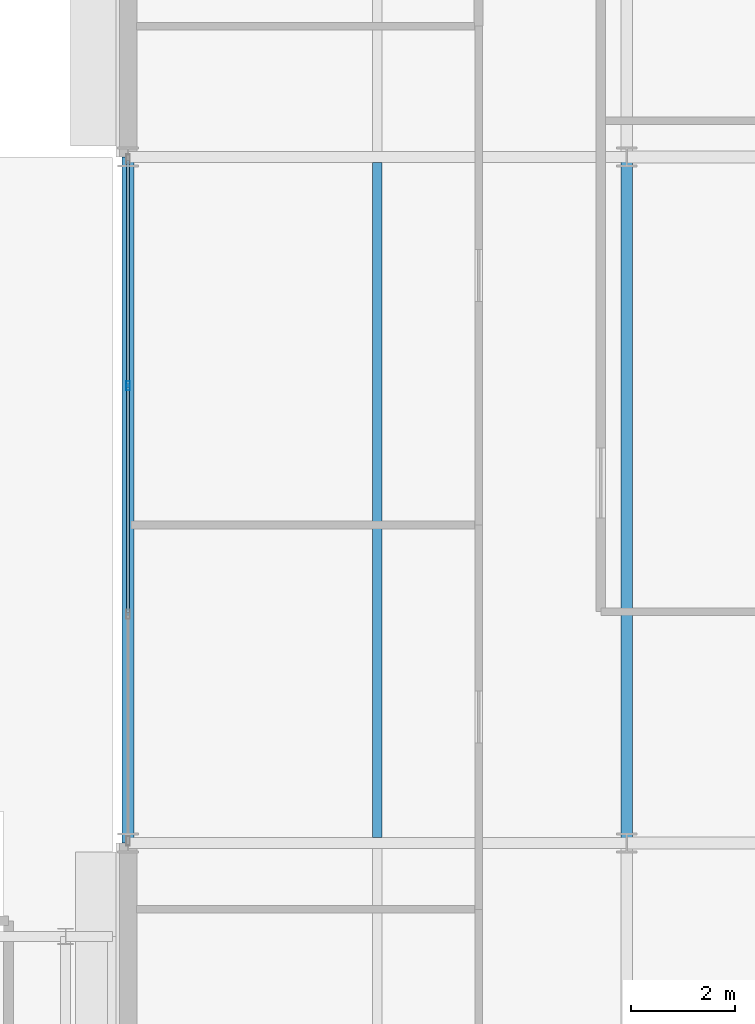
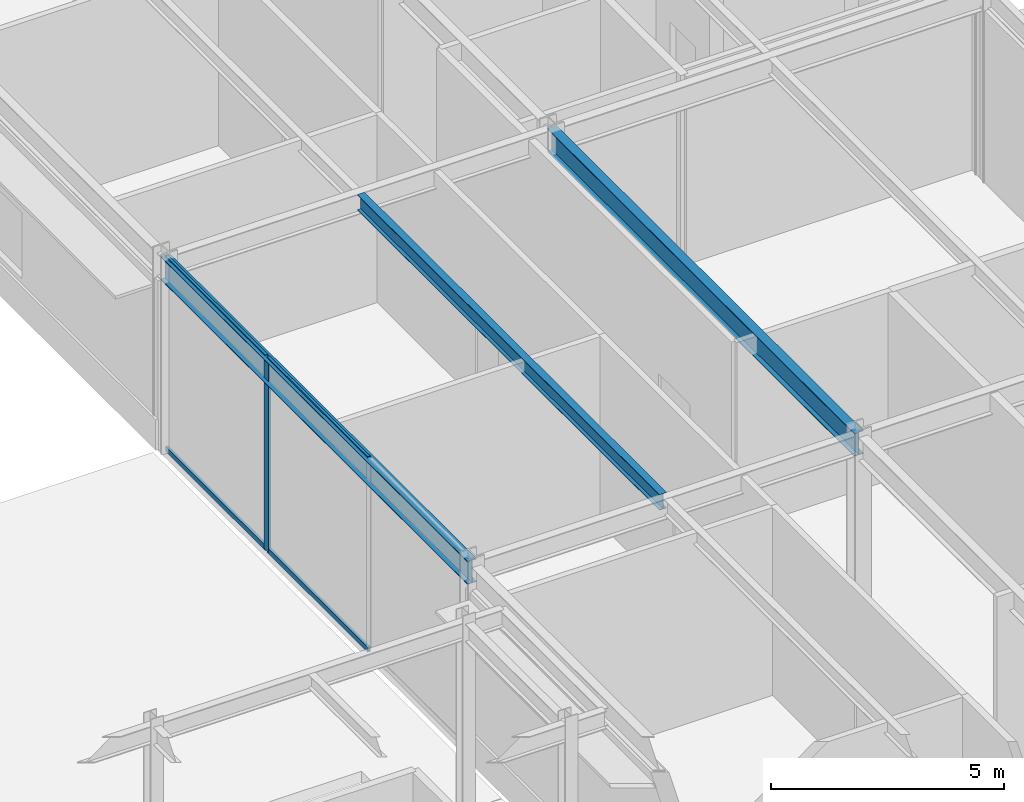
# One storey, part 102 of 168: 5 members, 3 beams, 1 element without a shape of its own.
"""IFC4 building model written with IfcOpenShell, lengths in metres."""

from ifc_helpers import new_model, si_unit, direction, frame, origin, origin_2d, place, context, subcontext, project, spatial, hollow_rectangle, i_section, extrude, material, material_profile, profile_set, type_object, element, aggregate, save


model = new_model("IFC4")

# Units and contexts
model_context = context("Model", 3, precision=1e-05, world=origin(), true_north=direction((0.0, 1.0)))
body_context = subcontext(model_context, "Body", "Model", "MODEL_VIEW")
ifc_project = project(units=[si_unit("LENGTHUNIT", "METRE"), si_unit("AREAUNIT", "SQUARE_METRE"), si_unit("VOLUMEUNIT", "CUBIC_METRE"), si_unit("PLANEANGLEUNIT", "RADIAN"), si_unit("MASSUNIT", "GRAM", prefix="KILO")], contexts=[model_context])

# Site, building, storey
site_placement = place(None, origin())
site = spatial("IfcSite", under=ifc_project, at=site_placement, CompositionType="ELEMENT")
building_placement = place(site_placement, origin())
building = spatial("IfcBuilding", under=site, at=building_placement, Name="Almandine Court Research Institute", CompositionType="ELEMENT")
storey_placement = place(building_placement, origin())
storey = spatial("IfcBuildingStorey", under=building, at=storey_placement, Name="L00", CompositionType="ELEMENT", Elevation=0.0)

# Beams
ifc_material_1 = material(Name="Steel ASTM A992 Grade 50", Category="steel")
ifc_material_profile_1 = material_profile(ifc_material_1, i_section(OverallWidth=0.178955078125, OverallDepth=0.409912109375, WebThickness=0.009033203125, FlangeThickness=0.013916015625, at=origin_2d()), Name="W410x67")
ifc_profile_set_1 = profile_set([ifc_material_profile_1], Name="Steel ASTM A992 Grade 50")
beam_type_1 = type_object("IfcBeamType", Name="Beam-B-02", PredefinedType="JOIST", material=ifc_profile_set_1)
beam_placement = place(storey_placement, frame((158.39990234375, 57.702880859375, 4.864990234375), z_axis=(0.0, 1.0, 0.0), x_axis=(-1.0, 0.0, 0.0)))
element("IfcBeam", 1, at=beam_placement, inside=storey, type_object=beam_type_1, Name="L00 V4 Composite Secondary Beam", PredefinedType="JOIST", context=body_context, shape_type="SweptSolid", body=[
    extrude(i_section(OverallWidth=0.178955078125, OverallDepth=0.409912109375, WebThickness=0.009033203125, FlangeThickness=0.013916015625, at=origin_2d()), origin(), (0.0, 0.0, 1.0), 12.994140625),
])
ifc_material_profile_2 = material_profile(ifc_material_1, i_section(OverallWidth=0.22802734375, OverallDepth=0.60791015625, WebThickness=0.010986328125, FlangeThickness=0.01708984375, at=origin_2d()), Name="W610x113")
ifc_profile_set_2 = profile_set([ifc_material_profile_2], Name="Steel ASTM A992 Grade 50")
beam_type_2 = type_object("IfcBeamType", Name="Beam-G-03", PredefinedType="BEAM", material=ifc_profile_set_2)
for number, where, z_axis, x_axis, name in (
    (2, (153.60009765625, 57.60009765625, 4.76611328125), (0.0, 1.0, 0.0), (-1.0, 0.0, 0.0), "L00 V4 Primary Y Girder"),
    (3, (163.199951171875, 57.60009765625, 4.76611328125), (0.0, 1.0, 0.0), (-1.0, 0.0, 0.0), "L00 V4 Primary Y Girder"),
):
    element("IfcBeam", number, at=place(storey_placement, frame(where, z_axis=z_axis, x_axis=x_axis)), inside=storey, type_object=beam_type_2, Name=name, PredefinedType="BEAM", context=body_context, shape_type="SweptSolid", body=[
        extrude(i_section(OverallWidth=0.22802734375, OverallDepth=0.60791015625, WebThickness=0.010986328125, FlangeThickness=0.01708984375, at=origin_2d()), origin(), (0.0, 0.0, 1.0), 13.199951171875),
    ])

# Curtain wall, members
ifc_material_2 = material(Name="Unitised Curtain Wall Framing and Solar Glazing", Category="glass")
curtain_wall_type = type_object("IfcCurtainWallType", Name="CW-CWJ-14", PredefinedType="USERDEFINED", material=ifc_material_2)
curtain_wall_placement = place(storey_placement, origin())
curtain_wall = element("IfcCurtainWall", 4, at=curtain_wall_placement, inside=storey, type_object=curtain_wall_type, Name="L00 Wet Lab West Courtyard Jali Curtain Wall 4", ObjectType="SOLAR JALI SCREEN", PredefinedType="USERDEFINED")
ifc_material_3 = material(Name="Anodised Aluminium AW-6063-T6", Category="aluminium")
ifc_material_profile_3 = material_profile(ifc_material_3, hollow_rectangle(XDim=0.06494140625, YDim=0.179931640625, WallThickness=0.00390625, at=origin_2d()), Name="ALU RHS 65x180x4")
ifc_profile_set_3 = profile_set([ifc_material_profile_3], Name="Anodised Aluminium AW-6063-T6")
member_type_1 = type_object("IfcMemberType", Name="CWMul-65x180", PredefinedType="MULLION", material=ifc_profile_set_3)
member_1_placement = place(storey_placement, frame((153.60009765625, 66.398681640625, 0.0), z_axis=(0.0, 0.0, 1.0), x_axis=(-1.0, 0.0, 0.0)))
member_1 = element("IfcMember", 5, at=member_1_placement, type_object=member_type_1, Name="CWJ-14 mullion 3", PredefinedType="MULLION", context=body_context, shape_type="SweptSolid", body=[
    extrude(hollow_rectangle(XDim=0.06494140625, YDim=0.179931640625, WallThickness=0.00390625, at=origin_2d()), origin(), (0.0, 0.0, 1.0), 5.070068359375),
])
ifc_material_profile_4 = material_profile(ifc_material_3, hollow_rectangle(XDim=0.06494140625, YDim=0.1298828125, WallThickness=0.00390625, at=origin_2d()), Name="ALU RHS 65x130x4")
ifc_profile_set_4 = profile_set([ifc_material_profile_4], Name="Anodised Aluminium AW-6063-T6")
member_type_2 = type_object("IfcMemberType", Name="CWTrn-65x130", PredefinedType="NOTDEFINED", material=ifc_profile_set_4)
member_2_placement = place(storey_placement, frame((153.60009765625, 62.033935546875, 0.032470703125), z_axis=(0.0, 1.0, 0.0), x_axis=(-1.0, 0.0, 0.0)))
member_2 = element("IfcMember", 6, at=member_2_placement, type_object=member_type_2, Name="CWJ-14 transom 2.1", ObjectType="TRANSOM", PredefinedType="USERDEFINED", context=body_context, shape_type="SweptSolid", body=[
    extrude(hollow_rectangle(XDim=0.06494140625, YDim=0.1298828125, WallThickness=0.00390625, at=origin_2d()), origin(), (0.0, 0.0, 1.0), 4.332275390625),
])
member_3_placement = place(storey_placement, frame((153.60009765625, 62.033935546875, 5.03759765625), z_axis=(0.0, 1.0, 0.0), x_axis=(-1.0, 0.0, 0.0)))
member_3 = element("IfcMember", 7, at=member_3_placement, type_object=member_type_2, Name="CWJ-14 transom 2.2", ObjectType="TRANSOM", PredefinedType="USERDEFINED", context=body_context, shape_type="SweptSolid", body=[
    extrude(hollow_rectangle(XDim=0.06494140625, YDim=0.1298828125, WallThickness=0.00390625, at=origin_2d()), origin(), (0.0, 0.0, 1.0), 4.332275390625),
])
member_4_placement = place(storey_placement, frame((153.60009765625, 66.43115234375, 0.032470703125), z_axis=(0.0, 1.0, 0.0), x_axis=(-1.0, 0.0, 0.0)))
member_4 = element("IfcMember", 8, at=member_4_placement, type_object=member_type_2, Name="CWJ-14 transom 3.1", ObjectType="TRANSOM", PredefinedType="USERDEFINED", context=body_context, shape_type="SweptSolid", body=[
    extrude(hollow_rectangle(XDim=0.06494140625, YDim=0.1298828125, WallThickness=0.00390625, at=origin_2d()), origin(), (0.0, 0.0, 1.0), 4.2998046875),
])
member_5_placement = place(storey_placement, frame((153.60009765625, 66.43115234375, 5.03759765625), z_axis=(0.0, 1.0, 0.0), x_axis=(-1.0, 0.0, 0.0)))
member_5 = element("IfcMember", 9, at=member_5_placement, type_object=member_type_2, Name="CWJ-14 transom 3.2", ObjectType="TRANSOM", PredefinedType="USERDEFINED", context=body_context, shape_type="SweptSolid", body=[
    extrude(hollow_rectangle(XDim=0.06494140625, YDim=0.1298828125, WallThickness=0.00390625, at=origin_2d()), origin(), (0.0, 0.0, 1.0), 4.2998046875),
])
aggregate(curtain_wall, [member_1, member_2, member_3, member_4, member_5])

save(model, "model.ifc")
